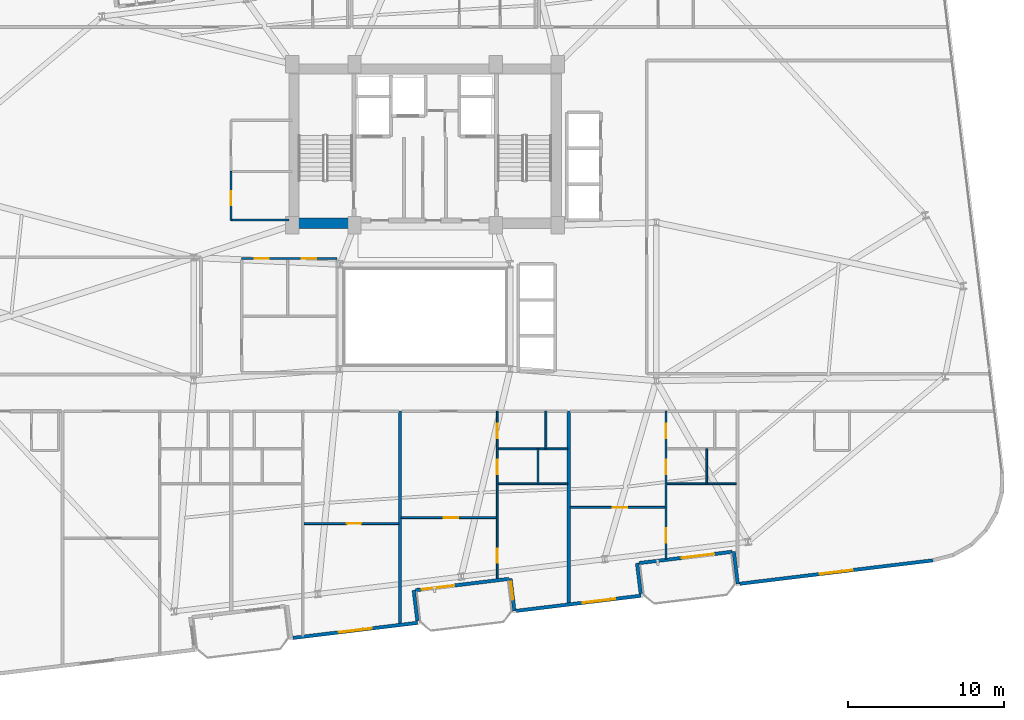
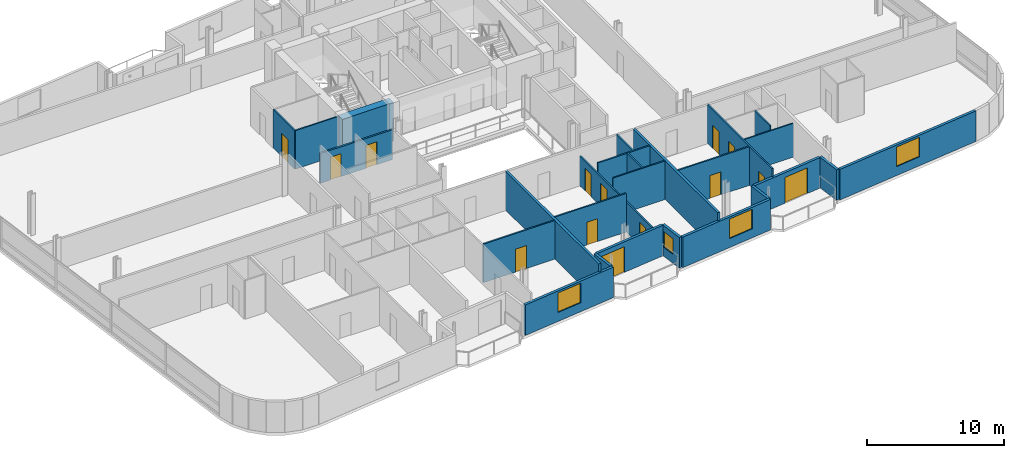
# One storey, part 15 of 23: 26 walls, 14 doors, 4 windows, 18 openings.
"""IFC4 building model written with IfcOpenShell, lengths in metres."""

from ifc_helpers import new_model, si_unit, direction, frame, frame_2d, origin, place, context, subcontext, project, spatial, rectangle, extrude, material, layer, layer_set, type_object, element, fill, save


model = new_model("IFC4")

# Units and contexts
model_context = context("Model", 3, precision=1e-05, world=origin(), true_north=direction((0.0, 1.0)))
body_context = subcontext(model_context, "Body", "Model", "MODEL_VIEW")
ifc_project = project(units=[si_unit("LENGTHUNIT", "METRE"), si_unit("AREAUNIT", "SQUARE_METRE"), si_unit("VOLUMEUNIT", "CUBIC_METRE"), si_unit("PLANEANGLEUNIT", "RADIAN"), si_unit("MASSUNIT", "GRAM", prefix="KILO")], contexts=[model_context])

# Site, building, storey
site_placement = place(None, origin())
site = spatial("IfcSite", under=ifc_project, at=site_placement, CompositionType="ELEMENT")
building_placement = place(site_placement, origin())
building = spatial("IfcBuilding", under=site, at=building_placement, Name="Varnelok Gate Tower", CompositionType="ELEMENT")
storey_placement = place(building_placement, frame((0.0, 0.0, 174.60009765625)))
storey = spatial("IfcBuildingStorey", under=building, at=storey_placement, Name="L44", CompositionType="ELEMENT", Elevation=174.60009765625)

# Wall, opening, door
ifc_material_1 = material(Name="Concrete C45/55", Category="concrete")
ifc_layer_1 = layer(ifc_material_1, 0.219970703125)
ifc_layer_set_1 = layer_set([ifc_layer_1], Name="Concrete C45/55")
wall_type_1 = type_object("IfcWallType", Name="EW-BALC-220", PredefinedType="SOLIDWALL", material=ifc_layer_set_1)
wall_1_placement = place(storey_placement, frame((44.5478515625, 6.114013671875, 0.0), z_axis=(0.0, 0.0, 1.0), x_axis=(-0.992735402148, -0.120318000826, 0.0)))
wall_1 = element("IfcWall", 1, at=wall_1_placement, inside=storey, type_object=wall_type_1, Name="L44 South Terrace Envelope Wall 2", PredefinedType="SOLIDWALL", context=body_context, shape_type="SweptSolid", body=[
    extrude(rectangle(XDim=6.000244140625, YDim=0.219970703125, at=frame_2d((3.0, 0.0))), origin(), (0.0, 0.0, 1.0), 2.72998046875),
])
opening_1_placement = place(wall_1_placement, frame((3.5, 0.0, 0.0)))
opening_1 = element("IfcOpeningElement", 2, at=opening_1_placement, cuts=wall_1, Name="Opening BD-2", PredefinedType="OPENING", context=body_context, shape_type="SweptSolid", body=[
    extrude(rectangle(XDim=2.10009765625, YDim=2.300048828125, at=frame_2d((1.050048828125, 1.14990234375))), frame((0.0, 0.119873046875, 0.0), z_axis=(0.0, -1.0, 0.0), x_axis=(1.0, 0.0, 0.0)), (0.0, 0.0, 1.0), 0.239990234375),
])
ifc_material_2 = material(Name="Anodized Aluminum Alloy 6063-T6", Category="aluminium")
door_type_1 = type_object("IfcDoorType", Name="DR-EXT-SLID2100", OperationType="SLIDING_TO_LEFT", PredefinedType="DOOR", material=ifc_material_2)
door_1_placement = place(opening_1_placement, origin())
door_1 = element("IfcDoor", 3, at=door_1_placement, inside=storey, type_object=door_type_1, Name="L44 South Balcony Glazed Door 2", OperationType="SLIDING_TO_LEFT", OverallHeight=2.300048828125, OverallWidth=2.10009765625, PredefinedType="DOOR", context=body_context, shape_type="SweptSolid", body=[
    extrude(rectangle(XDim=2.10009765625, YDim=2.300048828125, at=frame_2d((1.050048828125, 1.14990234375))), frame((0.0, 0.02490234375, 0.0), z_axis=(0.0, -1.0, 0.0), x_axis=(1.0, 0.0, 0.0)), (0.0, 0.0, 1.0), 0.050048828125),
])
fill(opening_1, door_1)

wall_2_placement = place(storey_placement, frame((58.843017578125, 7.84716796875, 0.0), z_axis=(0.0, 0.0, 1.0), x_axis=(-0.992729951822, -0.120362962556, 0.0)))
wall_2 = element("IfcWall", 4, at=wall_2_placement, inside=storey, type_object=wall_type_1, Name="L44 South Terrace Envelope Wall 3", PredefinedType="SOLIDWALL", context=body_context, shape_type="SweptSolid", body=[
    extrude(rectangle(XDim=6.0, YDim=0.219970703125, at=frame_2d((3.0, 0.0))), origin(), (0.0, 0.0, 1.0), 2.72998046875),
])
opening_2_placement = place(wall_2_placement, frame((1.14404296875, 0.0, 0.0)))
opening_2 = element("IfcOpeningElement", 5, at=opening_2_placement, cuts=wall_2, Name="Opening BD-2", PredefinedType="OPENING", context=body_context, shape_type="SweptSolid", body=[
    extrude(rectangle(XDim=2.10009765625, YDim=2.300048828125, at=frame_2d((1.050048828125, 1.14990234375))), frame((0.0, 0.119873046875, 0.0), z_axis=(0.0, -1.0, 0.0), x_axis=(1.0, 0.0, 0.0)), (0.0, 0.0, 1.0), 0.239990234375),
])
door_2_placement = place(opening_2_placement, origin())
door_2 = element("IfcDoor", 6, at=door_2_placement, inside=storey, type_object=door_type_1, Name="L44 South Balcony Glazed Door 3", OperationType="SLIDING_TO_LEFT", OverallHeight=2.300048828125, OverallWidth=2.10009765625, PredefinedType="DOOR", context=body_context, shape_type="SweptSolid", body=[
    extrude(rectangle(XDim=2.10009765625, YDim=2.300048828125, at=frame_2d((1.050048828125, 1.14990234375))), frame((0.0, 0.02490234375, 0.0), z_axis=(0.0, -1.0, 0.0), x_axis=(1.0, 0.0, 0.0)), (0.0, 0.0, 1.0), 0.050048828125),
])
fill(opening_2, door_2)

# Wall, opening, window
wall_3_placement = place(storey_placement, frame((30.747314453125, 2.335693359375, 0.0), z_axis=(0.0, 0.0, 1.0), x_axis=(0.992731032022, 0.120354052946, 0.0)))
wall_3 = element("IfcWall", 7, at=wall_3_placement, inside=storey, type_object=wall_type_1, Name="L44 Perimeter Facade Closure Wall 10", PredefinedType="SOLIDWALL", context=body_context, shape_type="SweptSolid", body=[
    extrude(rectangle(XDim=8.034912109375, YDim=0.219970703125, at=frame_2d((4.017578125, 0.0))), origin(), (0.0, 0.0, 1.0), 2.72998046875),
])
opening_3_placement = place(wall_3_placement, frame((2.967529296875, 0.0, 0.800048828125)))
opening_3 = element("IfcOpeningElement", 8, at=opening_3_placement, cuts=wall_3, Name="Opening WN4", PredefinedType="OPENING", context=body_context, shape_type="SweptSolid", body=[
    extrude(rectangle(XDim=2.10009765625, YDim=1.75, at=frame_2d((1.050048828125, 0.875))), frame((0.0, 0.119873046875, 0.0), z_axis=(0.0, -1.0, 0.0), x_axis=(1.0, 0.0, 0.0)), (0.0, 0.0, 1.0), 0.239990234375),
])
ifc_material_3 = material(Name="Low-E Laminated Double Glazing IGU", Category="glass")
window_type_1 = type_object("IfcWindowType", Name="WN-SUI-2100", PartitioningType="SINGLE_PANEL", PredefinedType="WINDOW", material=ifc_material_3)
window_1_placement = place(opening_3_placement, origin())
window_1 = element("IfcWindow", 9, at=window_1_placement, inside=storey, type_object=window_type_1, Name="L44 Perimeter Vision Window 10", OverallHeight=1.75, OverallWidth=2.10009765625, PartitioningType="SINGLE_PANEL", PredefinedType="WINDOW", context=body_context, shape_type="SweptSolid", body=[
    extrude(rectangle(XDim=2.10009765625, YDim=1.75, at=frame_2d((1.050048828125, 0.875))), frame((0.0, 0.030029296875, 0.0), z_axis=(0.0, -1.0, 0.0), x_axis=(1.0, 0.0, 0.0)), (0.0, 0.0, 1.0), 0.06005859375),
])
fill(opening_3, window_1)

# Wall
wall_4_placement = place(storey_placement, frame((38.708740234375, 3.427001953125, 0.0), z_axis=(0.0, 0.0, 1.0), x_axis=(-0.120397815541, 0.992725725472, 0.0)))
element("IfcWall", 10, at=wall_4_placement, inside=storey, type_object=wall_type_1, Name="L44 Perimeter Facade Closure Wall 11", PredefinedType="SOLIDWALL", context=body_context, shape_type="SweptSolid", body=[
    extrude(rectangle(XDim=1.97509765625, YDim=0.219970703125, at=frame_2d((0.987548828125, 0.0))), origin(), (0.0, 0.0, 1.0), 2.72998046875),
])

# Wall, opening, window
wall_5_placement = place(storey_placement, frame((44.665771484375, 6.138427734375, 0.0), z_axis=(0.0, 0.0, 1.0), x_axis=(0.120327895535, -0.992734202874, 0.0)))
wall_5 = element("IfcWall", 11, at=wall_5_placement, inside=storey, type_object=wall_type_1, Name="L44 Perimeter Facade Closure Wall 12", PredefinedType="SOLIDWALL", context=body_context, shape_type="SweptSolid", body=[
    extrude(rectangle(XDim=2.099853515625, YDim=0.219970703125, at=frame_2d((1.0498046875, 0.0))), origin(), (0.0, 0.0, 1.0), 2.72998046875),
])
opening_4_placement = place(wall_5_placement, frame((0.199951171875, 0.0, 0.800048828125)))
opening_4 = element("IfcOpeningElement", 12, at=opening_4_placement, cuts=wall_5, Name="Opening WN8", PredefinedType="OPENING", context=body_context, shape_type="SweptSolid", body=[
    extrude(rectangle(XDim=1.14990234375, YDim=1.39990234375, at=frame_2d((0.574951171875, 0.699951171875))), frame((0.0, 0.119873046875, 0.0), z_axis=(0.0, -1.0, 0.0), x_axis=(1.0, 0.0, 0.0)), (0.0, 0.0, 1.0), 0.239990234375),
])
window_type_2 = type_object("IfcWindowType", Name="WN-BED-1150", PartitioningType="SINGLE_PANEL", PredefinedType="WINDOW", material=ifc_material_3)
window_2_placement = place(opening_4_placement, origin())
window_2 = element("IfcWindow", 13, at=window_2_placement, inside=storey, type_object=window_type_2, Name="L44 Bedroom Vision Window 24", OverallHeight=1.39990234375, OverallWidth=1.14990234375, PartitioningType="SINGLE_PANEL", PredefinedType="WINDOW", context=body_context, shape_type="SweptSolid", body=[
    extrude(rectangle(XDim=1.14990234375, YDim=1.39990234375, at=frame_2d((0.574951171875, 0.699951171875))), frame((0.0, 0.030029296875, 0.0), z_axis=(0.0, -1.0, 0.0), x_axis=(1.0, 0.0, 0.0)), (0.0, 0.0, 1.0), 0.06005859375),
])
fill(opening_4, window_2)

wall_6_placement = place(storey_placement, frame((45.04248046875, 4.06884765625, 0.0), z_axis=(0.0, 0.0, 1.0), x_axis=(0.992731032022, 0.120354052946, 0.0)))
wall_6 = element("IfcWall", 14, at=wall_6_placement, inside=storey, type_object=wall_type_1, Name="L44 Perimeter Facade Closure Wall 13", PredefinedType="SOLIDWALL", context=body_context, shape_type="SweptSolid", body=[
    extrude(rectangle(XDim=8.034912109375, YDim=0.219970703125, at=frame_2d((4.017578125, 0.0))), origin(), (0.0, 0.0, 1.0), 2.72998046875),
])
opening_5_placement = place(wall_6_placement, frame((4.273193359375, 0.0, 0.800048828125)))
opening_5 = element("IfcOpeningElement", 15, at=opening_5_placement, cuts=wall_6, Name="Opening WN4", PredefinedType="OPENING", context=body_context, shape_type="SweptSolid", body=[
    extrude(rectangle(XDim=2.10009765625, YDim=1.75, at=frame_2d((1.050048828125, 0.875))), frame((0.0, 0.119873046875, 0.0), z_axis=(0.0, -1.0, 0.0), x_axis=(1.0, 0.0, 0.0)), (0.0, 0.0, 1.0), 0.239990234375),
])
window_3_placement = place(opening_5_placement, origin())
window_3 = element("IfcWindow", 16, at=window_3_placement, inside=storey, type_object=window_type_1, Name="L44 Perimeter Vision Window 13", OverallHeight=1.75, OverallWidth=2.10009765625, PartitioningType="SINGLE_PANEL", PredefinedType="WINDOW", context=body_context, shape_type="SweptSolid", body=[
    extrude(rectangle(XDim=2.10009765625, YDim=1.75, at=frame_2d((1.050048828125, 0.875))), frame((0.0, 0.030029296875, 0.0), z_axis=(0.0, -1.0, 0.0), x_axis=(1.0, 0.0, 0.0)), (0.0, 0.0, 1.0), 0.06005859375),
])
fill(opening_5, window_3)

# Walls
wall_7_placement = place(storey_placement, frame((53.004150390625, 5.159912109375, 0.0), z_axis=(0.0, 0.0, 1.0), x_axis=(-0.120397815541, 0.992725725472, 0.0)))
element("IfcWall", 17, at=wall_7_placement, inside=storey, type_object=wall_type_1, Name="L44 Perimeter Facade Closure Wall 14", PredefinedType="SOLIDWALL", context=body_context, shape_type="SweptSolid", body=[
    extrude(rectangle(XDim=1.97509765625, YDim=0.219970703125, at=frame_2d((0.987548828125, 0.0))), origin(), (0.0, 0.0, 1.0), 2.72998046875),
])
wall_8_placement = place(storey_placement, frame((58.961181640625, 7.87158203125, 0.0), z_axis=(0.0, 0.0, 1.0), x_axis=(0.120327895535, -0.992734202874, 0.0)))
element("IfcWall", 18, at=wall_8_placement, inside=storey, type_object=wall_type_1, Name="L44 Perimeter Facade Closure Wall 15", PredefinedType="SOLIDWALL", context=body_context, shape_type="SweptSolid", body=[
    extrude(rectangle(XDim=2.099853515625, YDim=0.219970703125, at=frame_2d((1.0498046875, 0.0))), origin(), (0.0, 0.0, 1.0), 2.72998046875),
])

# Wall, opening, window
wall_9_placement = place(storey_placement, frame((59.337890625, 5.8017578125, 0.0), z_axis=(0.0, 0.0, 1.0), x_axis=(0.992731225757, 0.120352454927, 0.0)))
wall_9 = element("IfcWall", 19, at=wall_9_placement, inside=storey, type_object=wall_type_1, Name="L44 Perimeter Facade Closure Wall 16", PredefinedType="SOLIDWALL", context=body_context, shape_type="SweptSolid", body=[
    extrude(rectangle(XDim=12.447265625, YDim=0.219970703125, at=frame_2d((6.2236328125, 0.0))), origin(), (0.0, 0.0, 1.0), 2.72998046875),
])
opening_6_placement = place(wall_9_placement, frame((5.173583984375, 0.0, 0.800048828125)))
opening_6 = element("IfcOpeningElement", 20, at=opening_6_placement, cuts=wall_9, Name="Opening WN4", PredefinedType="OPENING", context=body_context, shape_type="SweptSolid", body=[
    extrude(rectangle(XDim=2.10009765625, YDim=1.75, at=frame_2d((1.050048828125, 0.875))), frame((0.0, 0.119873046875, 0.0), z_axis=(0.0, -1.0, 0.0), x_axis=(1.0, 0.0, 0.0)), (0.0, 0.0, 1.0), 0.239990234375),
])
window_4_placement = place(opening_6_placement, origin())
window_4 = element("IfcWindow", 21, at=window_4_placement, inside=storey, type_object=window_type_1, Name="L44 Perimeter Vision Window 16", OverallHeight=1.75, OverallWidth=2.10009765625, PartitioningType="SINGLE_PANEL", PredefinedType="WINDOW", context=body_context, shape_type="SweptSolid", body=[
    extrude(rectangle(XDim=2.10009765625, YDim=1.75, at=frame_2d((1.050048828125, 0.875))), frame((0.0, 0.030029296875, 0.0), z_axis=(0.0, -1.0, 0.0), x_axis=(1.0, 0.0, 0.0)), (0.0, 0.0, 1.0), 0.06005859375),
])
fill(opening_6, window_4)

# Walls
ifc_material_4 = material(Name="Gypsum Plasterboard Acoustic Partition", Category="gypsum")
ifc_layer_2 = layer(ifc_material_4, 0.114990234375)
ifc_layer_set_2 = layer_set([ifc_layer_2], Name="Gypsum Plasterboard Acoustic Partition")
wall_type_2 = type_object("IfcWallType", Name="PW-ENS-125", PredefinedType="PARTITIONING", material=ifc_layer_set_2)
wall_10_placement = place(storey_placement, frame((43.88916015625, 12.199951171875, 0.0), z_axis=(0.0, 0.0, 1.0), x_axis=(1.0, 0.0, 0.0)))
element("IfcWall", 22, at=wall_10_placement, inside=storey, type_object=wall_type_2, Name="Interior Partition", PredefinedType="PARTITIONING", context=body_context, shape_type="SweptSolid", body=[
    extrude(rectangle(XDim=4.430908203125, YDim=0.114990234375, at=frame_2d((2.21533203125, 0.0))), origin(), (0.0, 0.0, 1.0), 3.449951171875),
])
wall_11_placement = place(storey_placement, frame((46.42919921875, 12.199951171875, 0.0), z_axis=(0.0, 0.0, 1.0), x_axis=(0.0, 1.0, 0.0)))
element("IfcWall", 23, at=wall_11_placement, inside=storey, type_object=wall_type_2, Name="Interior Partition", PredefinedType="PARTITIONING", context=body_context, shape_type="SweptSolid", body=[
    extrude(rectangle(XDim=2.239990234375, YDim=0.114990234375, at=frame_2d((1.1201171875, 0.0))), origin(), (0.0, 0.0, 1.0), 3.449951171875),
])
wall_12_placement = place(storey_placement, frame((54.689208984375, 12.199951171875, 0.0), z_axis=(0.0, 0.0, 1.0), x_axis=(1.0, 0.0, 0.0)))
element("IfcWall", 24, at=wall_12_placement, inside=storey, type_object=wall_type_2, Name="Interior Partition", PredefinedType="PARTITIONING", context=body_context, shape_type="SweptSolid", body=[
    extrude(rectangle(XDim=4.430908203125, YDim=0.114990234375, at=frame_2d((2.21533203125, 0.0))), origin(), (0.0, 0.0, 1.0), 3.017822265625),
])
wall_13_placement = place(storey_placement, frame((57.229248046875, 12.199951171875, 0.0), z_axis=(0.0, 0.0, 1.0), x_axis=(0.0, 1.0, 0.0)))
element("IfcWall", 25, at=wall_13_placement, inside=storey, type_object=wall_type_2, Name="Interior Partition", PredefinedType="PARTITIONING", context=body_context, shape_type="SweptSolid", body=[
    extrude(rectangle(XDim=2.239990234375, YDim=0.114990234375, at=frame_2d((1.1201171875, 0.0))), origin(), (0.0, 0.0, 1.0), 3.449951171875),
])
wall_14_placement = place(storey_placement, frame((26.780029296875, 29.080078125, 0.0), z_axis=(0.0, 0.0, 1.0), x_axis=(1.0, 0.0, 0.0)))
element("IfcWall", 26, at=wall_14_placement, inside=storey, type_object=wall_type_2, Name="Interior Partition", PredefinedType="PARTITIONING", context=body_context, shape_type="SweptSolid", body=[
    extrude(rectangle(XDim=3.699951171875, YDim=0.114990234375, at=frame_2d((1.85009765625, 0.0))), origin(), (0.0, 0.0, 1.0), 3.449951171875),
])

# Wall, opening, door
wall_15_placement = place(storey_placement, frame((26.780029296875, 29.080078125, 0.0), z_axis=(0.0, 0.0, 1.0), x_axis=(0.0, 1.0, 0.0)))
wall_15 = element("IfcWall", 27, at=wall_15_placement, inside=storey, type_object=wall_type_2, Name="Interior Partition", PredefinedType="PARTITIONING", context=body_context, shape_type="SweptSolid", body=[
    extrude(rectangle(XDim=3.10986328125, YDim=0.114990234375, at=frame_2d((1.554931640625, 0.0))), origin(), (0.0, 0.0, 1.0), 3.449951171875),
])
opening_7_placement = place(wall_15_placement, frame((0.949951171875, 0.0, 0.0)))
opening_7 = element("IfcOpeningElement", 28, at=opening_7_placement, cuts=wall_15, Name="Opening D-WC", PredefinedType="OPENING", context=body_context, shape_type="SweptSolid", body=[
    extrude(rectangle(XDim=0.89990234375, YDim=2.050048828125, at=frame_2d((0.449951171875, 1.02490234375))), frame((0.0, 0.0673828125, 0.0), z_axis=(0.0, -1.0, 0.0), x_axis=(1.0, 0.0, 0.0)), (0.0, 0.0, 1.0), 0.135009765625),
])
ifc_material_5 = material(Name="Engineered Hardwood Timber", Category="wood")
door_type_2 = type_object("IfcDoorType", Name="DR-BATH-900", OperationType="NOTDEFINED", PredefinedType="DOOR", material=ifc_material_5)
door_3_placement = place(opening_7_placement, origin())
door_3 = element("IfcDoor", 29, at=door_3_placement, inside=storey, type_object=door_type_2, Name="L44 Core Floor WC Door", OperationType="SINGLE_SWING_LEFT", OverallHeight=2.050048828125, OverallWidth=0.89990234375, PredefinedType="DOOR", context=body_context, shape_type="SweptSolid", body=[
    extrude(rectangle(XDim=0.89990234375, YDim=2.050048828125, at=frame_2d((0.449951171875, 1.02490234375))), frame((0.0, 0.02490234375, 0.0), z_axis=(0.0, -1.0, 0.0), x_axis=(1.0, 0.0, 0.0)), (0.0, 0.0, 1.0), 0.050048828125),
])
fill(opening_7, door_3)

ifc_layer_3 = layer(ifc_material_4, 0.125)
ifc_layer_set_3 = layer_set([ifc_layer_3], Name="Gypsum Plasterboard Acoustic Partition")
wall_type_3 = type_object("IfcWallType", Name="PW-PART-125", PredefinedType="PARTITIONING", material=ifc_layer_set_3)
wall_16_placement = place(storey_placement, frame((31.45068359375, 9.65576171875, 0.0), z_axis=(0.0, 0.0, 1.0), x_axis=(1.0, 0.0, 0.0)))
wall_16 = element("IfcWall", 30, at=wall_16_placement, inside=storey, type_object=wall_type_3, Name="Interior Partition", PredefinedType="PARTITIONING", context=body_context, shape_type="SweptSolid", body=[
    extrude(rectangle(XDim=6.0693359375, YDim=0.125, at=frame_2d((3.03466796875, 0.0))), origin(), (0.0, 0.0, 1.0), 3.449951171875),
])
opening_8_placement = place(wall_16_placement, frame((2.731201171875, 0.0, 0.0)))
opening_8 = element("IfcOpeningElement", 31, at=opening_8_placement, cuts=wall_16, Name="Opening D-I3", PredefinedType="OPENING", context=body_context, shape_type="SweptSolid", body=[
    extrude(rectangle(XDim=0.919921875, YDim=2.050048828125, at=frame_2d((0.4599609375, 1.02490234375))), frame((0.0, 0.072509765625, 0.0), z_axis=(0.0, -1.0, 0.0), x_axis=(1.0, 0.0, 0.0)), (0.0, 0.0, 1.0), 0.14501953125),
])
door_type_3 = type_object("IfcDoorType", Name="DR-INT-920", OperationType="NOTDEFINED", PredefinedType="DOOR", material=ifc_material_5)
door_4_placement = place(opening_8_placement, origin())
door_4 = element("IfcDoor", 32, at=door_4_placement, inside=storey, type_object=door_type_3, Name="L44 Apartment 3 Study Door", OperationType="SINGLE_SWING_LEFT", OverallHeight=2.050048828125, OverallWidth=0.919921875, PredefinedType="DOOR", context=body_context, shape_type="SweptSolid", body=[
    extrude(rectangle(XDim=0.919921875, YDim=2.050048828125, at=frame_2d((0.4599609375, 1.02490234375))), frame((0.0, 0.02490234375, 0.0), z_axis=(0.0, -1.0, 0.0), x_axis=(1.0, 0.0, 0.0)), (0.0, 0.0, 1.0), 0.050048828125),
])
fill(opening_8, door_4)

wall_17_placement = place(storey_placement, frame((37.679931640625, 10.033203125, 0.0), z_axis=(0.0, 0.0, 1.0), x_axis=(1.0, 0.0, 0.0)))
wall_17 = element("IfcWall", 33, at=wall_17_placement, inside=storey, type_object=wall_type_3, Name="Interior Partition", PredefinedType="PARTITIONING", context=body_context, shape_type="SweptSolid", body=[
    extrude(rectangle(XDim=6.0693359375, YDim=0.125, at=frame_2d((3.03466796875, 0.0))), origin(), (0.0, 0.0, 1.0), 3.449951171875),
])
opening_9_placement = place(wall_17_placement, frame((2.731201171875, 0.0, 0.0)))
opening_9 = element("IfcOpeningElement", 34, at=opening_9_placement, cuts=wall_17, Name="Opening D-I3", PredefinedType="OPENING", context=body_context, shape_type="SweptSolid", body=[
    extrude(rectangle(XDim=0.919921875, YDim=2.050048828125, at=frame_2d((0.4599609375, 1.02490234375))), frame((0.0, 0.072509765625, 0.0), z_axis=(0.0, -1.0, 0.0), x_axis=(1.0, 0.0, 0.0)), (0.0, 0.0, 1.0), 0.14501953125),
])
door_5_placement = place(opening_9_placement, origin())
door_5 = element("IfcDoor", 35, at=door_5_placement, inside=storey, type_object=door_type_3, Name="L44 Apartment 4 Study Door", OperationType="SINGLE_SWING_LEFT", OverallHeight=2.050048828125, OverallWidth=0.919921875, PredefinedType="DOOR", context=body_context, shape_type="SweptSolid", body=[
    extrude(rectangle(XDim=0.919921875, YDim=2.050048828125, at=frame_2d((0.4599609375, 1.02490234375))), frame((0.0, 0.02490234375, 0.0), z_axis=(0.0, -1.0, 0.0), x_axis=(1.0, 0.0, 0.0)), (0.0, 0.0, 1.0), 0.050048828125),
])
fill(opening_9, door_5)

# Wall, openings, doors
wall_18_placement = place(storey_placement, frame((43.819091796875, 6.055908203125, 0.0), z_axis=(0.0, 0.0, 1.0), x_axis=(0.0, 1.0, 0.0)))
wall_18 = element("IfcWall", 36, at=wall_18_placement, inside=storey, type_object=wall_type_3, Name="Interior Partition", PredefinedType="PARTITIONING", context=body_context, shape_type="SweptSolid", body=[
    extrude(rectangle(XDim=10.794189453125, YDim=0.125, at=frame_2d((5.39697265625, 0.0))), origin(), (0.0, 0.0, 1.0), 2.661865234375),
])
opening_10_placement = place(wall_18_placement, frame((1.0830078125, 0.0, 0.0)))
opening_10 = element("IfcOpeningElement", 37, at=opening_10_placement, cuts=wall_18, Name="Opening D-I3", PredefinedType="OPENING", context=body_context, shape_type="SweptSolid", body=[
    extrude(rectangle(XDim=0.919921875, YDim=2.050048828125, at=frame_2d((0.4599609375, 1.02490234375))), frame((0.0, 0.072509765625, 0.0), z_axis=(0.0, -1.0, 0.0), x_axis=(1.0, 0.0, 0.0)), (0.0, 0.0, 1.0), 0.14501953125),
])
opening_11_placement = place(wall_18_placement, frame((6.771240234375, 0.0, 0.0)))
opening_11 = element("IfcOpeningElement", 38, at=opening_11_placement, cuts=wall_18, Name="Opening D-WC", PredefinedType="OPENING", context=body_context, shape_type="SweptSolid", body=[
    extrude(rectangle(XDim=0.89990234375, YDim=2.050048828125, at=frame_2d((0.449951171875, 1.02490234375))), frame((0.0, 0.072509765625, 0.0), z_axis=(0.0, -1.0, 0.0), x_axis=(1.0, 0.0, 0.0)), (0.0, 0.0, 1.0), 0.14501953125),
])
opening_12_placement = place(wall_18_placement, frame((9.06396484375, 0.0, 0.0)))
opening_12 = element("IfcOpeningElement", 39, at=opening_12_placement, cuts=wall_18, Name="Opening D-I3", PredefinedType="OPENING", context=body_context, shape_type="SweptSolid", body=[
    extrude(rectangle(XDim=0.919921875, YDim=2.050048828125, at=frame_2d((0.4599609375, 1.02490234375))), frame((0.0, 0.072509765625, 0.0), z_axis=(0.0, -1.0, 0.0), x_axis=(1.0, 0.0, 0.0)), (0.0, 0.0, 1.0), 0.14501953125),
])
door_6_placement = place(opening_11_placement, origin())
door_6 = element("IfcDoor", 40, at=door_6_placement, inside=storey, type_object=door_type_2, Name="L44 Apartment 4 Bathroom Door", OperationType="SINGLE_SWING_LEFT", OverallHeight=2.050048828125, OverallWidth=0.89990234375, PredefinedType="DOOR", context=body_context, shape_type="SweptSolid", body=[
    extrude(rectangle(XDim=0.89990234375, YDim=2.050048828125, at=frame_2d((0.449951171875, 1.02490234375))), frame((0.0, 0.02490234375, 0.0), z_axis=(0.0, -1.0, 0.0), x_axis=(1.0, 0.0, 0.0)), (0.0, 0.0, 1.0), 0.050048828125),
])
fill(opening_11, door_6)
door_7_placement = place(opening_10_placement, origin())
door_7 = element("IfcDoor", 41, at=door_7_placement, inside=storey, type_object=door_type_3, Name="L44 Apartment 4 Bedroom Door", OperationType="SINGLE_SWING_RIGHT", OverallHeight=2.050048828125, OverallWidth=0.919921875, PredefinedType="DOOR", context=body_context, shape_type="SweptSolid", body=[
    extrude(rectangle(XDim=0.919921875, YDim=2.050048828125, at=frame_2d((0.4599609375, 1.02490234375))), frame((0.0, 0.02490234375, 0.0), z_axis=(0.0, -1.0, 0.0), x_axis=(1.0, 0.0, 0.0)), (0.0, 0.0, 1.0), 0.050048828125),
])
fill(opening_10, door_7)
door_8_placement = place(opening_12_placement, origin())
door_8 = element("IfcDoor", 42, at=door_8_placement, inside=storey, type_object=door_type_3, Name="L44 Apartment 4 Kitchen Door", OperationType="SINGLE_SWING_RIGHT", OverallHeight=2.050048828125, OverallWidth=0.919921875, PredefinedType="DOOR", context=body_context, shape_type="SweptSolid", body=[
    extrude(rectangle(XDim=0.919921875, YDim=2.050048828125, at=frame_2d((0.4599609375, 1.02490234375))), frame((0.0, 0.02490234375, 0.0), z_axis=(0.0, -1.0, 0.0), x_axis=(1.0, 0.0, 0.0)), (0.0, 0.0, 1.0), 0.050048828125),
])
fill(opening_12, door_8)

# Walls
wall_19_placement = place(storey_placement, frame((43.88916015625, 14.43994140625, 0.0), z_axis=(0.0, 0.0, 1.0), x_axis=(1.0, 0.0, 0.0)))
element("IfcWall", 43, at=wall_19_placement, inside=storey, type_object=wall_type_3, Name="Interior Partition", PredefinedType="PARTITIONING", context=body_context, shape_type="SweptSolid", body=[
    extrude(rectangle(XDim=4.430908203125, YDim=0.125, at=frame_2d((2.21533203125, 0.0))), origin(), (0.0, 0.0, 1.0), 3.449951171875),
])
wall_20_placement = place(storey_placement, frame((46.92919921875, 14.43994140625, 0.0), z_axis=(0.0, 0.0, 1.0), x_axis=(0.0, 1.0, 0.0)))
element("IfcWall", 44, at=wall_20_placement, inside=storey, type_object=wall_type_3, Name="Interior Partition", PredefinedType="PARTITIONING", context=body_context, shape_type="SweptSolid", body=[
    extrude(rectangle(XDim=2.41015625, YDim=0.125, at=frame_2d((1.205078125, 0.0))), origin(), (0.0, 0.0, 1.0), 3.449951171875),
])

# Wall, opening, door
wall_21_placement = place(storey_placement, frame((48.47998046875, 10.68798828125, 0.0), z_axis=(0.0, 0.0, 1.0), x_axis=(1.0, 0.0, 0.0)))
wall_21 = element("IfcWall", 45, at=wall_21_placement, inside=storey, type_object=wall_type_3, Name="Interior Partition", PredefinedType="PARTITIONING", context=body_context, shape_type="SweptSolid", body=[
    extrude(rectangle(XDim=6.0693359375, YDim=0.125, at=frame_2d((3.03466796875, 0.0))), origin(), (0.0, 0.0, 1.0), 3.449951171875),
])
opening_13_placement = place(wall_21_placement, frame((2.731201171875, 0.0, 0.0)))
opening_13 = element("IfcOpeningElement", 46, at=opening_13_placement, cuts=wall_21, Name="Opening D-I3", PredefinedType="OPENING", context=body_context, shape_type="SweptSolid", body=[
    extrude(rectangle(XDim=0.919921875, YDim=2.050048828125, at=frame_2d((0.4599609375, 1.02490234375))), frame((0.0, 0.072509765625, 0.0), z_axis=(0.0, -1.0, 0.0), x_axis=(1.0, 0.0, 0.0)), (0.0, 0.0, 1.0), 0.14501953125),
])
door_9_placement = place(opening_13_placement, origin())
door_9 = element("IfcDoor", 47, at=door_9_placement, inside=storey, type_object=door_type_3, Name="L44 Apartment 5 Study Door", OperationType="SINGLE_SWING_LEFT", OverallHeight=2.050048828125, OverallWidth=0.919921875, PredefinedType="DOOR", context=body_context, shape_type="SweptSolid", body=[
    extrude(rectangle(XDim=0.919921875, YDim=2.050048828125, at=frame_2d((0.4599609375, 1.02490234375))), frame((0.0, 0.02490234375, 0.0), z_axis=(0.0, -1.0, 0.0), x_axis=(1.0, 0.0, 0.0)), (0.0, 0.0, 1.0), 0.050048828125),
])
fill(opening_13, door_9)

# Wall, openings, doors
wall_22_placement = place(storey_placement, frame((54.619140625, 7.365234375, 0.0), z_axis=(0.0, 0.0, 1.0), x_axis=(0.0, 1.0, 0.0)))
wall_22 = element("IfcWall", 48, at=wall_22_placement, inside=storey, type_object=wall_type_3, Name="Interior Partition", PredefinedType="PARTITIONING", context=body_context, shape_type="SweptSolid", body=[
    extrude(rectangle(XDim=9.48486328125, YDim=0.125, at=frame_2d((4.742431640625, 0.0))), origin(), (0.0, 0.0, 1.0), 3.449951171875),
])
opening_14_placement = place(wall_22_placement, frame((1.0654296875, 0.0, 0.0)))
opening_14 = element("IfcOpeningElement", 49, at=opening_14_placement, cuts=wall_22, Name="Opening D-I3", PredefinedType="OPENING", context=body_context, shape_type="SweptSolid", body=[
    extrude(rectangle(XDim=0.919921875, YDim=2.050048828125, at=frame_2d((0.4599609375, 1.02490234375))), frame((0.0, 0.072509765625, 0.0), z_axis=(0.0, -1.0, 0.0), x_axis=(1.0, 0.0, 0.0)), (0.0, 0.0, 1.0), 0.14501953125),
])
opening_15_placement = place(wall_22_placement, frame((5.462158203125, 0.0, 0.0)))
opening_15 = element("IfcOpeningElement", 50, at=opening_15_placement, cuts=wall_22, Name="Opening D-WC", PredefinedType="OPENING", context=body_context, shape_type="SweptSolid", body=[
    extrude(rectangle(XDim=0.89990234375, YDim=2.050048828125, at=frame_2d((0.449951171875, 1.02490234375))), frame((0.0, 0.072509765625, 0.0), z_axis=(0.0, -1.0, 0.0), x_axis=(1.0, 0.0, 0.0)), (0.0, 0.0, 1.0), 0.14501953125),
])
opening_16_placement = place(wall_22_placement, frame((7.7548828125, 0.0, 0.0)))
opening_16 = element("IfcOpeningElement", 51, at=opening_16_placement, cuts=wall_22, Name="Opening D-I3", PredefinedType="OPENING", context=body_context, shape_type="SweptSolid", body=[
    extrude(rectangle(XDim=0.919921875, YDim=2.050048828125, at=frame_2d((0.4599609375, 1.02490234375))), frame((0.0, 0.072509765625, 0.0), z_axis=(0.0, -1.0, 0.0), x_axis=(1.0, 0.0, 0.0)), (0.0, 0.0, 1.0), 0.14501953125),
])
door_10_placement = place(opening_15_placement, origin())
door_10 = element("IfcDoor", 52, at=door_10_placement, inside=storey, type_object=door_type_2, Name="L44 Apartment 5 Bathroom Door", OperationType="SINGLE_SWING_LEFT", OverallHeight=2.050048828125, OverallWidth=0.89990234375, PredefinedType="DOOR", context=body_context, shape_type="SweptSolid", body=[
    extrude(rectangle(XDim=0.89990234375, YDim=2.050048828125, at=frame_2d((0.449951171875, 1.02490234375))), frame((0.0, 0.02490234375, 0.0), z_axis=(0.0, -1.0, 0.0), x_axis=(1.0, 0.0, 0.0)), (0.0, 0.0, 1.0), 0.050048828125),
])
fill(opening_15, door_10)
door_11_placement = place(opening_14_placement, origin())
door_11 = element("IfcDoor", 53, at=door_11_placement, inside=storey, type_object=door_type_3, Name="L44 Apartment 5 Bedroom Door", OperationType="SINGLE_SWING_RIGHT", OverallHeight=2.050048828125, OverallWidth=0.919921875, PredefinedType="DOOR", context=body_context, shape_type="SweptSolid", body=[
    extrude(rectangle(XDim=0.919921875, YDim=2.050048828125, at=frame_2d((0.4599609375, 1.02490234375))), frame((0.0, 0.02490234375, 0.0), z_axis=(0.0, -1.0, 0.0), x_axis=(1.0, 0.0, 0.0)), (0.0, 0.0, 1.0), 0.050048828125),
])
fill(opening_14, door_11)
door_12_placement = place(opening_16_placement, origin())
door_12 = element("IfcDoor", 54, at=door_12_placement, inside=storey, type_object=door_type_3, Name="L44 Apartment 5 Kitchen Door", OperationType="SINGLE_SWING_RIGHT", OverallHeight=2.050048828125, OverallWidth=0.919921875, PredefinedType="DOOR", context=body_context, shape_type="SweptSolid", body=[
    extrude(rectangle(XDim=0.919921875, YDim=2.050048828125, at=frame_2d((0.4599609375, 1.02490234375))), frame((0.0, 0.02490234375, 0.0), z_axis=(0.0, -1.0, 0.0), x_axis=(1.0, 0.0, 0.0)), (0.0, 0.0, 1.0), 0.050048828125),
])
fill(opening_16, door_12)

ifc_layer_4 = layer(ifc_material_4, 0.14990234375)
ifc_layer_set_4 = layer_set([ifc_layer_4], Name="Gypsum Plasterboard Acoustic Partition")
wall_type_4 = type_object("IfcWallType", Name="PW-PART-150", PredefinedType="PARTITIONING", material=ifc_layer_set_4)
wall_23_placement = place(storey_placement, frame((27.4599609375, 26.6201171875, 0.0), z_axis=(0.0, 0.0, 1.0), x_axis=(1.0, 0.0, 0.0)))
wall_23 = element("IfcWall", 55, at=wall_23_placement, inside=storey, type_object=wall_type_4, Name="Interior Partition", PredefinedType="PARTITIONING", context=body_context, shape_type="SweptSolid", body=[
    extrude(rectangle(XDim=6.10009765625, YDim=0.14990234375, at=frame_2d((3.050048828125, 0.0))), origin(), (0.0, 0.0, 1.0), 2.661865234375),
])
opening_17_placement = place(wall_23_placement, frame((0.85009765625, 0.0, 0.0)))
opening_17 = element("IfcOpeningElement", 56, at=opening_17_placement, cuts=wall_23, Name="Opening D-WC", PredefinedType="OPENING", context=body_context, shape_type="SweptSolid", body=[
    extrude(rectangle(XDim=0.89990234375, YDim=2.050048828125, at=frame_2d((0.449951171875, 1.02490234375))), frame((0.0, 0.0849609375, 0.0), z_axis=(0.0, -1.0, 0.0), x_axis=(1.0, 0.0, 0.0)), (0.0, 0.0, 1.0), 0.169921875),
])
opening_18_placement = place(wall_23_placement, frame((3.85009765625, 0.0, 0.0)))
opening_18 = element("IfcOpeningElement", 57, at=opening_18_placement, cuts=wall_23, Name="Opening D-I3", PredefinedType="OPENING", context=body_context, shape_type="SweptSolid", body=[
    extrude(rectangle(XDim=0.919921875, YDim=2.050048828125, at=frame_2d((0.4599609375, 1.02490234375))), frame((0.0, 0.0849609375, 0.0), z_axis=(0.0, -1.0, 0.0), x_axis=(1.0, 0.0, 0.0)), (0.0, 0.0, 1.0), 0.169921875),
])
door_13_placement = place(opening_17_placement, origin())
door_13 = element("IfcDoor", 58, at=door_13_placement, inside=storey, type_object=door_type_2, Name="L44 Accessible Floor WC Door", OperationType="SINGLE_SWING_RIGHT", OverallHeight=2.050048828125, OverallWidth=0.89990234375, PredefinedType="DOOR", context=body_context, shape_type="SweptSolid", body=[
    extrude(rectangle(XDim=0.89990234375, YDim=2.050048828125, at=frame_2d((0.449951171875, 1.02490234375))), frame((0.0, 0.02490234375, 0.0), z_axis=(0.0, -1.0, 0.0), x_axis=(1.0, 0.0, 0.0)), (0.0, 0.0, 1.0), 0.050048828125),
])
fill(opening_17, door_13)
door_14_placement = place(opening_18_placement, origin())
door_14 = element("IfcDoor", 59, at=door_14_placement, inside=storey, type_object=door_type_3, Name="L44 Cleaner Supply Door", OperationType="SINGLE_SWING_LEFT", OverallHeight=2.050048828125, OverallWidth=0.919921875, PredefinedType="DOOR", context=body_context, shape_type="SweptSolid", body=[
    extrude(rectangle(XDim=0.919921875, YDim=2.050048828125, at=frame_2d((0.4599609375, 1.02490234375))), frame((0.0, 0.02490234375, 0.0), z_axis=(0.0, -1.0, 0.0), x_axis=(1.0, 0.0, 0.0)), (0.0, 0.0, 1.0), 0.050048828125),
])
fill(opening_18, door_14)

# Walls
ifc_layer_5 = layer(ifc_material_4, 0.205078125)
ifc_layer_set_5 = layer_set([ifc_layer_5], Name="Gypsum Plasterboard Acoustic Partition")
wall_type_5 = type_object("IfcWallType", Name="PW-PARTY-200", PredefinedType="PARTITIONING", material=ifc_layer_set_5)
wall_24_placement = place(storey_placement, frame((37.60009765625, 3.186767578125, 0.0), z_axis=(0.0, 0.0, 1.0), x_axis=(0.0, 1.0, 0.0)))
element("IfcWall", 60, at=wall_24_placement, inside=storey, type_object=wall_type_5, Name="L44 South Party Wall 3", PredefinedType="PARTITIONING", context=body_context, shape_type="SweptSolid", body=[
    extrude(rectangle(XDim=13.663330078125, YDim=0.205078125, at=frame_2d((6.83154296875, 0.0))), origin(), (0.0, 0.0, 1.0), 3.449951171875),
])
wall_25_placement = place(storey_placement, frame((48.39990234375, 4.49609375, 0.0), z_axis=(0.0, 0.0, 1.0), x_axis=(0.0, 1.0, 0.0)))
element("IfcWall", 61, at=wall_25_placement, inside=storey, type_object=wall_type_5, Name="L44 South Party Wall 4", PredefinedType="PARTITIONING", context=body_context, shape_type="SweptSolid", body=[
    extrude(rectangle(XDim=12.35400390625, YDim=0.205078125, at=frame_2d((6.177001953125, 0.0))), origin(), (0.0, 0.0, 1.0), 3.449951171875),
])
ifc_material_6 = material(Name="Concrete C60/75", Category="concrete")
ifc_layer_6 = layer(ifc_material_6, 0.64990234375)
ifc_layer_set_6 = layer_set([ifc_layer_6], Name="Concrete C60/75")
wall_type_6 = type_object("IfcWallType", Name="SW-CORE-650", PredefinedType="SHEAR", material=ifc_layer_set_6)
wall_26_placement = place(storey_placement, frame((30.47998046875, 28.875, 0.0), z_axis=(0.0, 0.0, 1.0), x_axis=(1.0, 0.0, 0.0)))
element("IfcWall", 62, at=wall_26_placement, inside=storey, type_object=wall_type_6, Name="L44 Rear Core South-West Shear Wall", PredefinedType="SHEAR", context=body_context, shape_type="SweptSolid", body=[
    extrude(rectangle(XDim=4.320068359375, YDim=0.64990234375, at=frame_2d((2.16015625, 0.0))), origin(), (0.0, 0.0, 1.0), 3.449951171875),
])

save(model, "model.ifc")
